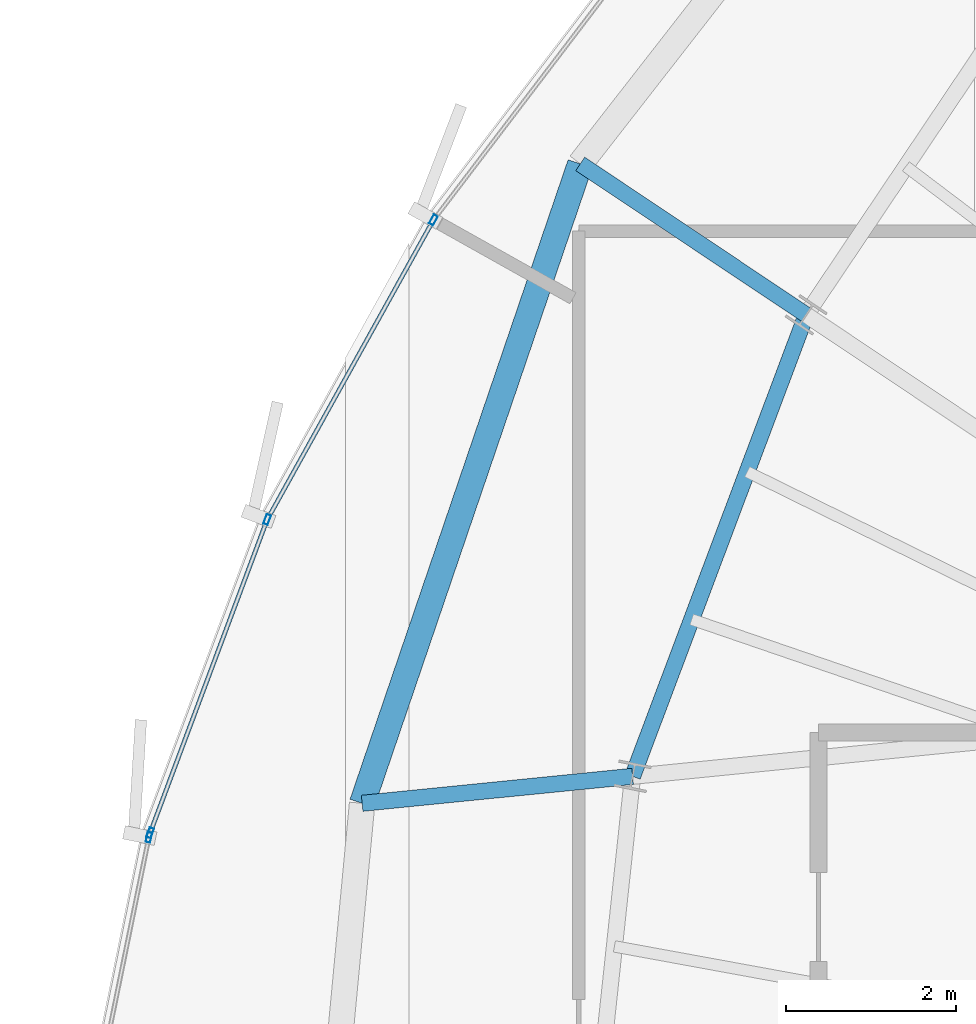
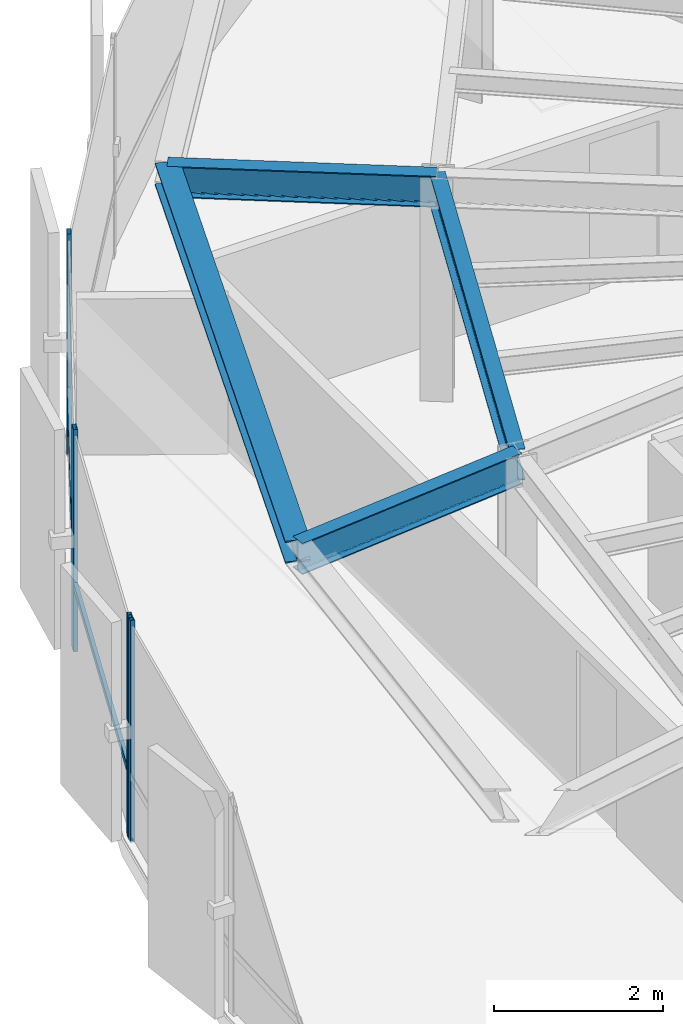
# One storey, part 11 of 34: 6 members, 4 beams, 2 elements without a shape of their own.
"""IFC4 building model written with IfcOpenShell, lengths in metres."""

from ifc_helpers import new_model, si_unit, direction, frame, origin, origin_2d, place, context, subcontext, project, spatial, hollow_rectangle, i_section, extrude, source, transform, mapped, material, layer, layer_set, material_profile, profile_set, type_object, element, aggregate, save


model = new_model("IFC4")

# Units and contexts
model_context = context("Model", 3, precision=1e-05, world=origin(), true_north=direction((0.0, 1.0)))
body_context = subcontext(model_context, "Body", "Model", "MODEL_VIEW")
ifc_project = project(units=[si_unit("LENGTHUNIT", "METRE"), si_unit("AREAUNIT", "SQUARE_METRE"), si_unit("VOLUMEUNIT", "CUBIC_METRE"), si_unit("PLANEANGLEUNIT", "RADIAN"), si_unit("MASSUNIT", "GRAM", prefix="KILO"), si_unit("THERMODYNAMICTEMPERATUREUNIT", "KELVIN")], contexts=[model_context])

# Site, building, storey
site_placement = place(None, origin())
site = spatial("IfcSite", under=ifc_project, at=site_placement, CompositionType="ELEMENT")
building_placement = place(site_placement, origin())
building = spatial("IfcBuilding", under=site, at=building_placement, Name="Kethvar Cultural Tower", CompositionType="ELEMENT")
storey_placement = place(building_placement, frame((0.0, 0.0, 231.85009765625)))
storey = spatial("IfcBuildingStorey", under=building, at=storey_placement, Name="L60", CompositionType="ELEMENT", Elevation=231.85009765625)

# Beams
ifc_material_1 = material(Name="Steel S355J2", Category="steel")
ifc_material_profile_1 = material_profile(ifc_material_1, i_section(OverallWidth=0.18994140625, OverallDepth=0.449951171875, WebThickness=0.009521484375, FlangeThickness=0.0146484375, FilletRadius=0.02099609375, at=origin_2d()), Name="Steel S355J2 — IPE450")
ifc_profile_set_1 = profile_set([ifc_material_profile_1], Name="Steel S355J2 — IPE450")
beam_type_1 = type_object("IfcBeamType", Name="BM-IPE450", PredefinedType="BEAM", material=ifc_profile_set_1)
shared_shape_1 = source(origin(), body_context, "Body", "SweptSolid", [
    extrude(i_section(OverallWidth=0.18994140625, OverallDepth=0.449951171875, WebThickness=0.009521484375, FlangeThickness=0.0146484375, FilletRadius=0.02099609375, at=origin_2d()), origin(), (0.0, 0.0, 1.0), 3.2001953125),
])
beam_1_placement = place(storey_placement, frame((32.3125, 30.681884765625, 2.98291015625), z_axis=(-0.995047004836, -0.099405523829, 0.0), x_axis=(0.099405523829, -0.995047004836, 0.0)))
element("IfcBeam", 1, at=beam_1_placement, inside=storey, type_object=beam_type_1, Name="L60 Perimeter Cantilever Beam RC-08", PredefinedType="BEAM", context=body_context, shape_type="MappedRepresentation", body=[
    mapped(shared_shape_1, transform((0.0, 0.0, 0.0), scale=1.0)),
])
shared_shape_2 = source(origin(), body_context, "Body", "SweptSolid", [
    extrude(i_section(OverallWidth=0.18994140625, OverallDepth=0.449951171875, WebThickness=0.009521484375, FlangeThickness=0.0146484375, FilletRadius=0.02099609375, at=origin_2d()), origin(), (0.0, 0.0, 1.0), 3.19970703125),
])
beam_2_placement = place(storey_placement, frame((34.35595703125, 36.114990234375, 2.98291015625), z_axis=(-0.831498187863, 0.55552746429, 0.0), x_axis=(-0.55552746429, -0.831498187863, 0.0)))
element("IfcBeam", 2, at=beam_2_placement, inside=storey, type_object=beam_type_1, Name="L60 Perimeter Cantilever Beam RC-07", PredefinedType="BEAM", context=body_context, shape_type="MappedRepresentation", body=[
    mapped(shared_shape_2, transform((0.0, 0.0, 0.0), scale=1.0)),
])
shared_shape_3 = source(origin(), body_context, "Body", "SweptSolid", [
    extrude(i_section(OverallWidth=0.18994140625, OverallDepth=0.449951171875, WebThickness=0.009521484375, FlangeThickness=0.0146484375, FilletRadius=0.02099609375, at=origin_2d()), origin(), (0.0, 0.0, 1.0), 5.8046875),
])
beam_3_placement = place(storey_placement, frame((34.35595703125, 36.114990234375, 2.98291015625), z_axis=(-0.352035902861, -0.935986497283, 0.0), x_axis=(0.935986497283, -0.352035902861, 0.0)))
element("IfcBeam", 3, at=beam_3_placement, inside=storey, type_object=beam_type_1, Name="L60 Column Ring Tie Beam CR-07", PredefinedType="BEAM", context=body_context, shape_type="MappedRepresentation", body=[
    mapped(shared_shape_3, transform((0.0, 0.0, 0.0), scale=1.0)),
])
ifc_material_profile_2 = material_profile(ifc_material_1, i_section(OverallWidth=0.300048828125, OverallDepth=0.320068359375, WebThickness=0.011474609375, FlangeThickness=0.0205078125, FilletRadius=0.027099609375, at=origin_2d()), Name="Steel S355J2 — HEB320")
ifc_profile_set_2 = profile_set([ifc_material_profile_2], Name="Steel S355J2 — HEB320")
beam_type_2 = type_object("IfcBeamType", Name="BM-SP320", PredefinedType="SPANDREL", material=ifc_profile_set_2)
shared_shape_4 = source(origin(), body_context, "Body", "SweptSolid", [
    extrude(i_section(OverallWidth=0.300048828125, OverallDepth=0.320068359375, WebThickness=0.011474609375, FlangeThickness=0.0205078125, FilletRadius=0.027099609375, at=origin_2d()), origin(), (0.0, 0.0, 1.0), 7.954345703125),
])
beam_4_placement = place(storey_placement, frame((31.6953125, 37.892578125, 3.0478515625), z_axis=(-0.322730170507, -0.946491012659, 0.0), x_axis=(0.946491012659, -0.322730170507, 0.0)))
element("IfcBeam", 4, at=beam_4_placement, inside=storey, type_object=beam_type_2, Name="L60 Perimeter Spandrel Beam SP-07", PredefinedType="SPANDREL", context=body_context, shape_type="MappedRepresentation", body=[
    mapped(shared_shape_4, transform((0.0, 0.0, 0.0), scale=1.0)),
])

# Curtain wall, members
ifc_material_2 = material(Name="Aluminium 6063-T6", Category="aluminium")
ifc_layer = layer(ifc_material_2, 0.179931640625, Name="Aluminium 6063-T6", Category="aluminium")
ifc_layer_set = layer_set([ifc_layer], Name="Aluminium 6063-T6 (180 mm)")
curtain_wall_type = type_object("IfcCurtainWallType", Name="CW-SYS-05-Z56", PredefinedType="NOTDEFINED", material=ifc_layer_set)
curtain_wall_1_placement = place(storey_placement, origin())
curtain_wall_1 = element("IfcCurtainWall", 5, at=curtain_wall_1_placement, inside=storey, type_object=curtain_wall_type, Name="L60 Curtain Wall Run 02", PredefinedType="NOTDEFINED")
ifc_material_profile_3 = material_profile(ifc_material_2, hollow_rectangle(XDim=0.054931640625, YDim=0.1201171875, WallThickness=0.00390625, at=origin_2d()), Name="Aluminium 6063-T6 — RHS120x55x4")
ifc_profile_set_3 = profile_set([ifc_material_profile_3], Name="Aluminium 6063-T6 — RHS120x55x4")
member_type_1 = type_object("IfcMemberType", Name="CW-SYS-05-Z56-MUL", PredefinedType="MULLION", material=ifc_profile_set_3)
shared_shape_5 = source(origin(), body_context, "Body", "SweptSolid", [
    extrude(hollow_rectangle(XDim=0.054931640625, YDim=0.1201171875, WallThickness=0.00390625, at=origin_2d()), origin(), (0.0, 0.0, 1.0), 3.2099609375),
])
member_1_placement = place(storey_placement, frame((29.967529296875, 37.2314453125, 0.0), z_axis=(0.0, 0.0, 1.0), x_axis=(0.874526614256, -0.48497752624, 0.0)))
member_1 = element("IfcMember", 6, at=member_1_placement, type_object=member_type_1, Name="CW-L60-R02 Mullion 5", PredefinedType="MULLION", context=body_context, shape_type="MappedRepresentation", body=[
    mapped(shared_shape_5, transform((0.0, 0.0, 0.0), scale=1.0)),
])
member_2_placement = place(storey_placement, frame((28.01025390625, 33.7041015625, 0.0), z_axis=(0.0, 0.0, 1.0), x_axis=(0.936794377618, -0.349880399656, 0.0)))
member_2 = element("IfcMember", 7, at=member_2_placement, type_object=member_type_1, Name="CW-L60-R02 Mullion 6", PredefinedType="MULLION", context=body_context, shape_type="MappedRepresentation", body=[
    mapped(shared_shape_5, transform((0.0, 0.0, 0.0), scale=1.0)),
])
member_3_placement = place(storey_placement, frame((26.633056640625, 30.0166015625, 0.0), z_axis=(0.0, 0.0, 1.0), x_axis=(0.936794377618, -0.349880399656, 0.0)))
member_3 = element("IfcMember", 8, at=member_3_placement, type_object=member_type_1, Name="CW-L60-R02 Mullion 7", PredefinedType="MULLION", context=body_context, shape_type="MappedRepresentation", body=[
    mapped(shared_shape_5, transform((0.0, 0.0, 0.0), scale=1.0)),
])

# Curtain wall, member
curtain_wall_2_placement = place(storey_placement, origin())
curtain_wall_2 = element("IfcCurtainWall", 9, at=curtain_wall_2_placement, inside=storey, type_object=curtain_wall_type, Name="L60 Curtain Wall Run 03", PredefinedType="NOTDEFINED")
member_4_placement = place(storey_placement, frame((26.61767578125, 29.962890625, 0.0), z_axis=(0.0, 0.0, 1.0), x_axis=(0.979771312103, -0.200120403706, 0.0)))
member_4 = element("IfcMember", 10, at=member_4_placement, type_object=member_type_1, Name="CW-L60-R03 Mullion 1", PredefinedType="MULLION", context=body_context, shape_type="MappedRepresentation", body=[
    mapped(shared_shape_5, transform((0.0, 0.0, 0.0), scale=1.0)),
])
aggregate(curtain_wall_2, [member_4])

# Member
ifc_material_profile_4 = material_profile(ifc_material_2, hollow_rectangle(XDim=0.050048828125, YDim=0.10009765625, WallThickness=0.00390625, at=origin_2d()), Name="Aluminium 6063-T6 — RHS100x50x4")
ifc_profile_set_4 = profile_set([ifc_material_profile_4], Name="Aluminium 6063-T6 — RHS100x50x4")
member_type_2 = type_object("IfcMemberType", Name="CW-SYS-05-Z56-TRN", PredefinedType="USERDEFINED", material=ifc_profile_set_4)
shared_shape_6 = source(origin(), body_context, "Body", "SweptSolid", [
    extrude(hollow_rectangle(XDim=0.050048828125, YDim=0.10009765625, WallThickness=0.00390625, at=origin_2d()), origin(), (0.0, 0.0, 1.0), 3.969482421875),
])
member_5_placement = place(storey_placement, frame((29.9482421875, 37.19677734375, 0.949951171875), z_axis=(-0.484963913004, -0.874534163475, 0.0), x_axis=(0.874534163475, -0.484963913004, 0.0)))
member_5 = element("IfcMember", 11, at=member_5_placement, type_object=member_type_2, Name="CW-L60-R02 Transom 5", ObjectType="TRANSOM", PredefinedType="USERDEFINED", context=body_context, shape_type="MappedRepresentation", body=[
    mapped(shared_shape_6, transform((0.0, 0.0, 0.0), scale=1.0)),
])

shared_shape_7 = source(origin(), body_context, "Body", "SweptSolid", [
    extrude(hollow_rectangle(XDim=0.050048828125, YDim=0.10009765625, WallThickness=0.00390625, at=origin_2d()), origin(), (0.0, 0.0, 1.0), 3.89306640625),
])
member_6_placement = place(storey_placement, frame((27.996337890625, 33.6669921875, 0.949951171875), z_axis=(-0.349872317168, -0.936797396281, 0.0), x_axis=(0.936797396281, -0.349872317168, 0.0)))
member_6 = element("IfcMember", 12, at=member_6_placement, type_object=member_type_2, Name="CW-L60-R02 Transom 6", ObjectType="TRANSOM", PredefinedType="USERDEFINED", context=body_context, shape_type="MappedRepresentation", body=[
    mapped(shared_shape_7, transform((0.0, 0.0, 0.0), scale=1.0)),
])

aggregate(curtain_wall_1, [member_1, member_2, member_3, member_5, member_6])

save(model, "model.ifc")
